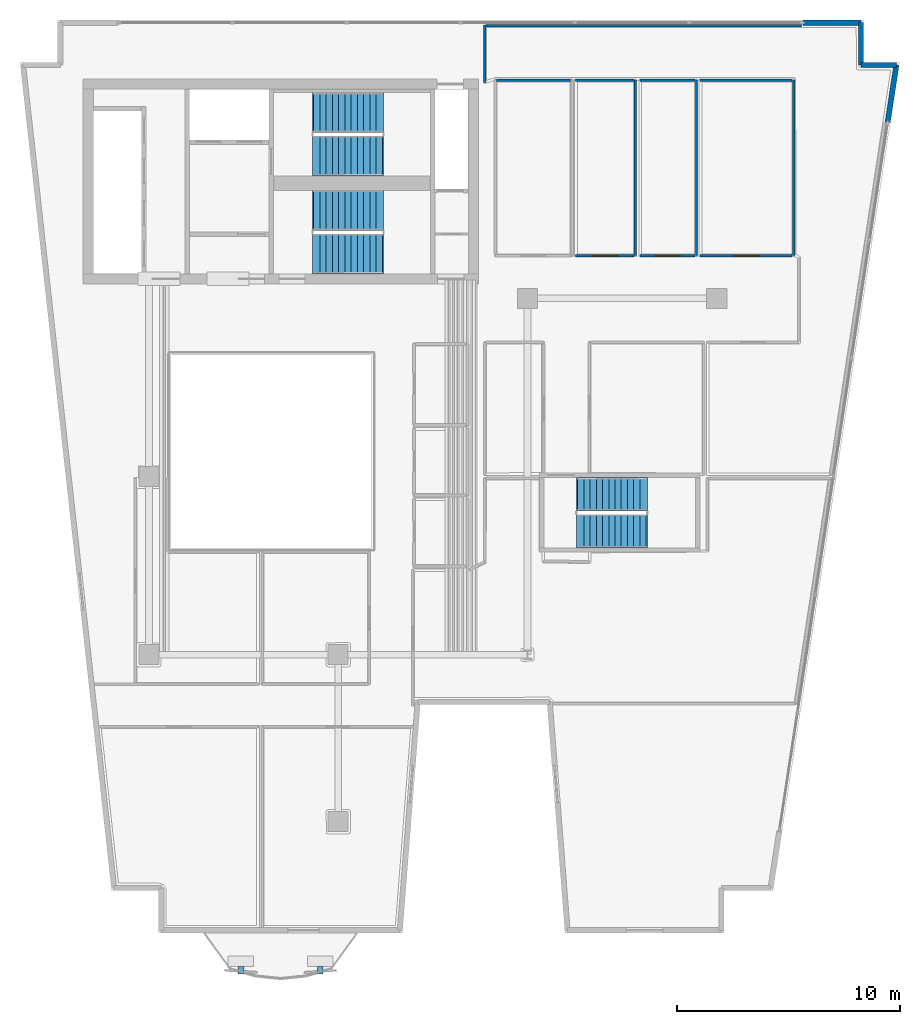
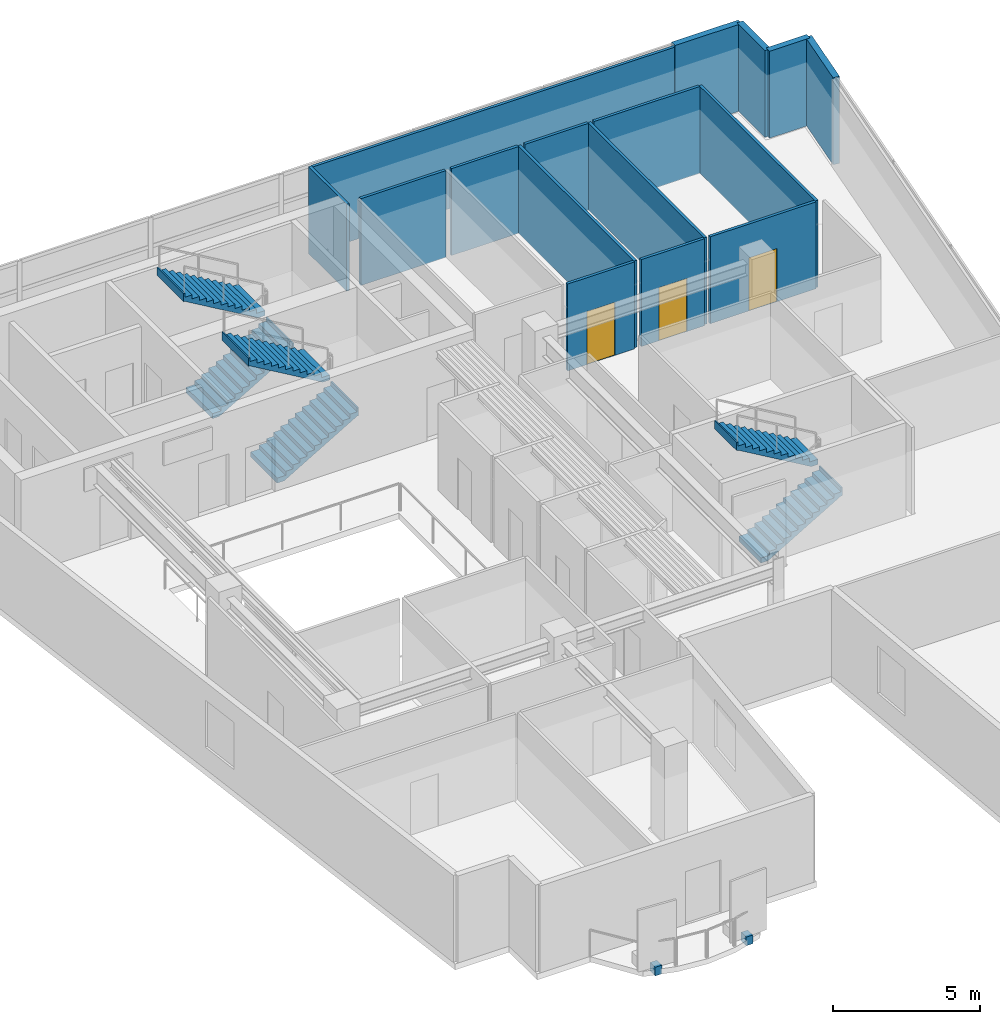
# One storey, part 6 of 8: 16 walls, 6 stair flights, 3 doors, 2 discrete accessories, 3 openings, 3 elements without a shape of their own.
"""IFC4 building model written with IfcOpenShell, lengths in metres."""

import ifcopenshell
import ifcopenshell.guid

model = None  # the IFC model being written
_history = None  # IfcOwnerHistory: only IFC2X3 demands one
_inside = {}  # id of a spatial element -> (the spatial element, [elements in it])
_under = {}  # id of a project, library or spatial element -> (it, [spatial elements below it])
_declared = {}  # id of a project -> (the project, [libraries it declares])
_typed = {}  # id of a type object -> (the type object, [elements of that type])
_made_of = {}  # id of a material, layer set ... -> (it, [elements and type objects made of it])


def new_model(schema):
    """Start an empty IFC model of exactly this schema.

    Asked for "IFC4X3", IfcOpenShell would pick the latest addendum, in which some entities
    have other attributes; the version numbers below select the first issue.
    IFC2X3 requires an IfcOwnerHistory on every rooted entity: one is made here for all.
    """
    global model, _history
    if schema == "IFC4X3":
        model = ifcopenshell.file(schema_version=(4, 3, 0, 0))
    else:
        model = ifcopenshell.file(schema=schema)
    _inside.clear()
    _under.clear()
    _declared.clear()
    _typed.clear()
    _made_of.clear()
    _history = None
    if model.schema == "IFC2X3":
        org = make("IfcOrganization", Name="unknown")
        user = make(
            "IfcPersonAndOrganization",
            ThePerson=make("IfcPerson", FamilyName="unknown"),
            TheOrganization=org,
        )
        app = make(
            "IfcApplication",
            ApplicationDeveloper=org,
            Version="unknown",
            ApplicationFullName="unknown",
            ApplicationIdentifier="unknown",
        )
        _history = make(
            "IfcOwnerHistory",
            OwningUser=user,
            OwningApplication=app,
            ChangeAction="ADDED",
            CreationDate=0,
        )
    return model


def make(cls, **values):
    """One entity of the class cls with the attributes given. An attribute that is None is left unset."""
    return model.create_entity(
        cls, **{name: value for name, value in values.items() if value is not None}
    )


def rooted(cls, **values):
    """An entity with a GlobalId (a new one), such as an element, a storey or a relation."""
    return make(cls, GlobalId=ifcopenshell.guid.new(), OwnerHistory=_history, **values)


def si_unit(unit_type, name, prefix=None):
    """IfcSIUnit, for example si_unit("LENGTHUNIT", "METRE", prefix="MILLI")."""
    return make("IfcSIUnit", UnitType=unit_type, Prefix=prefix, Name=name)


def assignment(units):
    """IfcUnitAssignment: the units of a project."""
    return None if units is None else make("IfcUnitAssignment", Units=units)


def point(xyz):
    """IfcCartesianPoint."""
    return None if xyz is None else make("IfcCartesianPoint", Coordinates=xyz)


def direction(xyz):
    """IfcDirection."""
    return None if xyz is None else make("IfcDirection", DirectionRatios=xyz)


def frame(location, z_axis=None, x_axis=None):
    """IfcAxis2Placement3D, a coordinate frame: its origin and axes. An axis left out is left unset."""
    return make(
        "IfcAxis2Placement3D",
        Location=point(location),
        Axis=direction(z_axis),
        RefDirection=direction(x_axis),
    )


def frame_2d(location, x_axis=None):
    """IfcAxis2Placement2D, a coordinate frame in the plane: its origin and x axis."""
    return make(
        "IfcAxis2Placement2D", Location=point(location), RefDirection=direction(x_axis)
    )


def origin():
    """The frame at (0, 0, 0) with its axes left unset."""
    return frame((0.0, 0.0, 0.0))


def origin_2d():
    """The frame at (0, 0) in the plane with its x axis left unset."""
    return frame_2d((0.0, 0.0))


def place(relative_to, where):
    """IfcLocalPlacement: puts the frame where relative to a parent placement (None: the world)."""
    return make(
        "IfcLocalPlacement", PlacementRelTo=relative_to, RelativePlacement=where
    )


def context(
    kind, dimensions, precision=None, world=None, true_north=None, identifier=None
):
    """IfcGeometricRepresentationContext, for example the 3D "Model" context."""
    return make(
        "IfcGeometricRepresentationContext",
        ContextIdentifier=identifier,
        ContextType=kind,
        CoordinateSpaceDimension=dimensions,
        Precision=precision,
        WorldCoordinateSystem=world,
        TrueNorth=true_north,
    )


def subcontext(parent, identifier, kind, view, scale=None):
    """IfcGeometricRepresentationSubContext, for example "Body" below "Model"."""
    return make(
        "IfcGeometricRepresentationSubContext",
        ContextIdentifier=identifier,
        ContextType=kind,
        ParentContext=parent,
        TargetScale=scale,
        TargetView=view,
    )


def project(units=None, contexts=None):
    """IfcProject with its units and contexts."""
    return rooted(
        "IfcProject",
        Name="project",
        RepresentationContexts=contexts,
        UnitsInContext=assignment(units),
    )


def spatial(cls, under=None, at=None, **own):
    """A site, building, storey or space (cls), placed at a placement, below another one or the project."""
    s = rooted(cls, ObjectPlacement=at, **own)
    if under is not None:
        _under.setdefault(under.id(), (under, []))[1].append(s)
    return s


def polyline(points):
    """IfcPolyline through the points."""
    return make("IfcPolyline", Points=[point(p) for p in points])


def profile(cls, at=None, kind="AREA", **sizes):
    """A parametric profile (cls). Its sizes go by their IFC names, for example OverallWidth=200.0."""
    return make(cls, ProfileType=kind, Position=at, **sizes)


def rectangle(**sizes):
    """IfcRectangleProfileDef."""
    return profile("IfcRectangleProfileDef", **sizes)


def outline(outer, holes=None, kind="AREA"):
    """IfcArbitraryClosedProfileDef: a profile drawn as a closed curve; with holes, ...WithVoids."""
    if holes is None:
        return make("IfcArbitraryClosedProfileDef", ProfileType=kind, OuterCurve=outer)
    return make(
        "IfcArbitraryProfileDefWithVoids",
        ProfileType=kind,
        OuterCurve=outer,
        InnerCurves=holes,
    )


def extrude(swept, where, along, depth):
    """IfcExtrudedAreaSolid: the profile swept, set in the frame where, extruded along a direction by depth."""
    return make(
        "IfcExtrudedAreaSolid",
        SweptArea=swept,
        Position=where,
        ExtrudedDirection=direction(along),
        Depth=depth,
    )


def shape(context_of_items, identifier, shape_type, items):
    """IfcShapeRepresentation: the items that make up one representation, for example the "Body"."""
    return make(
        "IfcShapeRepresentation",
        ContextOfItems=context_of_items,
        RepresentationIdentifier=identifier,
        RepresentationType=shape_type,
        Items=items,
    )


def material(Name=None, Category=None):
    """IfcMaterial."""
    return make("IfcMaterial", Name=Name, Category=Category)


def layer(
    of_material, thickness, ventilated=None, Name=None, Category=None, Priority=None
):
    """IfcMaterialLayer: one layer of a wall or slab, of a material (None: an air gap)."""
    return make(
        "IfcMaterialLayer",
        Material=of_material,
        LayerThickness=thickness,
        IsVentilated=ventilated,
        Name=Name,
        Category=Category,
        Priority=Priority,
    )


def layer_set(layers, Name=None):
    """IfcMaterialLayerSet."""
    return make("IfcMaterialLayerSet", MaterialLayers=layers, LayerSetName=Name)


def made_of(thing, what):
    """Note that an element or type object is made of a material, layer set ...; save() writes the relation."""
    if what is not None:
        _made_of.setdefault(what.id(), (what, []))[1].append(thing)
    return thing


def type_object(cls, material=None, **own):
    """A type object (cls), such as IfcWallType, which elements share."""
    return made_of(rooted(cls, **own), material)


def element(
    cls,
    number,
    at=None,
    inside=None,
    cuts=None,
    type_object=None,
    material=None,
    context=None,
    identifier="Body",
    shape_type=None,
    held_by="IfcProductDefinitionShape",
    body=None,
    shapes=None,
    **own,
):
    """One element of the class cls, such as IfcWall. Its Tag is "e" and its number.

    at: its placement. inside: the storey or other place that contains it. cuts: it is an
    opening in that element (IfcRelVoidsElement). A single representation is given by context,
    identifier, shape_type and body (its items); several are given by shapes. held_by: the class
    of the entity that holds the representations. save() writes the other relations.
    """
    e = rooted(cls, Tag="e%d" % number, ObjectPlacement=at, **own)
    if body is not None:
        shapes = [shape(context, identifier, shape_type, body)]
    if shapes is not None:
        e.Representation = make(held_by, Representations=shapes)
    if inside is not None:
        _inside.setdefault(inside.id(), (inside, []))[1].append(e)
    if cuts is not None:
        rooted(
            "IfcRelVoidsElement", RelatingBuildingElement=cuts, RelatedOpeningElement=e
        )
    if type_object is not None:
        _typed.setdefault(type_object.id(), (type_object, []))[1].append(e)
    return made_of(e, material)


def fill(opening, filler):
    """IfcRelFillsElement: the door or window that sits in an opening."""
    return rooted(
        "IfcRelFillsElement",
        RelatingOpeningElement=opening,
        RelatedBuildingElement=filler,
    )


def aggregate(whole, parts):
    """IfcRelAggregates: a whole, such as a stair, and the parts it consists of."""
    return rooted("IfcRelAggregates", RelatingObject=whole, RelatedObjects=parts)


def save(model, path):
    """Write the relations noted so far, then the file.

    IfcRelAggregates (storeys below a building ...), IfcRelContainedInSpatialStructure (elements
    in a storey), IfcRelDefinesByType, IfcRelAssociatesMaterial and IfcRelDeclares: one each for
    every whole, place, type object, material and project.
    """
    for whole, parts in _under.values():
        aggregate(whole, parts)
    for where, things in _inside.values():
        rooted(
            "IfcRelContainedInSpatialStructure",
            RelatedElements=things,
            RelatingStructure=where,
        )
    for kind, things in _typed.values():
        rooted("IfcRelDefinesByType", RelatedObjects=things, RelatingType=kind)
    for what, things in _made_of.values():
        rooted("IfcRelAssociatesMaterial", RelatedObjects=things, RelatingMaterial=what)
    for by, libraries in _declared.values():
        rooted("IfcRelDeclares", RelatingContext=by, RelatedDefinitions=libraries)
    model.write(path)


model = new_model("IFC4")

# Units and contexts
model_context = context("Model", 3, precision=1e-05, world=origin(), true_north=direction((0.0, 1.0)))
body_context = subcontext(model_context, "Body", "Model", "MODEL_VIEW")
ifc_project = project(units=[si_unit("LENGTHUNIT", "METRE"), si_unit("AREAUNIT", "SQUARE_METRE"), si_unit("VOLUMEUNIT", "CUBIC_METRE"), si_unit("PLANEANGLEUNIT", "RADIAN"), si_unit("MASSUNIT", "GRAM", prefix="KILO")], contexts=[model_context])

# Site, building, storey
site_placement = place(None, origin())
site = spatial("IfcSite", under=ifc_project, at=site_placement, CompositionType="ELEMENT")
building_placement = place(site_placement, origin())
building = spatial("IfcBuilding", under=site, at=building_placement, Name="Caeloran Harvest Quay", CompositionType="ELEMENT")
storey_placement = place(building_placement, frame((0.0, 0.0, 246.949951171875)))
storey = spatial("IfcBuildingStorey", under=building, at=storey_placement, Name="L59", CompositionType="ELEMENT", Elevation=246.949951171875)

# Walls
ifc_material_1 = material(Name="Precast concrete C50/60", Category="concrete")
ifc_layer_1 = layer(ifc_material_1, 0.239990234375, Name="Precast concrete C50/60")
ifc_layer_set_1 = layer_set([ifc_layer_1], Name="Precast concrete C50/60")
wall_type_1 = type_object("IfcWallType", Name="ENV-WALL-EW-240", PredefinedType="STANDARD", material=ifc_layer_set_1)
wall_1_placement = place(storey_placement, frame((37.8798828125, 43.3798828125, 0.0), z_axis=(0.0, 0.0, 1.0), x_axis=(1.0, 0.0, 0.0)))
element("IfcWall", 1, at=wall_1_placement, inside=storey, type_object=wall_type_1, Name="L59 Exterior Facade Corner Pier Wall 6B", PredefinedType="STANDARD", context=body_context, shape_type="SweptSolid", body=[
    extrude(rectangle(XDim=2.60009765625, YDim=0.239990234375, at=frame_2d((1.300048828125, 0.0))), origin(), (0.0, 0.0, 1.0), 3.60009765625),
])
wall_2_placement = place(storey_placement, frame((40.47998046875, 43.3798828125, 0.0), z_axis=(0.0, 0.0, 1.0), x_axis=(0.0, -1.0, 0.0)))
element("IfcWall", 2, at=wall_2_placement, inside=storey, type_object=wall_type_1, Name="L59 Exterior Precast Concrete Facade Wall 7", PredefinedType="STANDARD", context=body_context, shape_type="SweptSolid", body=[
    extrude(rectangle(XDim=1.89990234375, YDim=0.239990234375, at=frame_2d((0.949951171875, 0.0))), origin(), (0.0, 0.0, 1.0), 3.60009765625),
])
wall_3_placement = place(storey_placement, frame((40.47998046875, 41.47998046875, 0.0), z_axis=(0.0, 0.0, 1.0), x_axis=(1.0, 0.0, 0.0)))
element("IfcWall", 3, at=wall_3_placement, inside=storey, type_object=wall_type_1, Name="L59 Exterior Precast Concrete Facade Wall 8", PredefinedType="STANDARD", context=body_context, shape_type="SweptSolid", body=[
    extrude(rectangle(XDim=1.590087890625, YDim=0.239990234375, at=frame_2d((0.794921875, 0.0))), origin(), (0.0, 0.0, 1.0), 3.60009765625),
])
wall_4_placement = place(storey_placement, frame((42.070068359375, 41.47998046875, 0.0), z_axis=(0.0, 0.0, 1.0), x_axis=(-0.151090396132, -0.988519950328, 0.0)))
element("IfcWall", 4, at=wall_4_placement, inside=storey, type_object=wall_type_1, Name="L59 Exterior Facade Corner Pier Wall 9A", PredefinedType="STANDARD", context=body_context, shape_type="SweptSolid", body=[
    extrude(rectangle(XDim=2.599853515625, YDim=0.239990234375, at=frame_2d((1.2998046875, 0.0))), origin(), (0.0, 0.0, 1.0), 3.60009765625),
])
ifc_material_2 = material(Name="Single-Stud Acoustic Gypsum Office Partition", Category="gypsum")
ifc_layer_2 = layer(ifc_material_2, 0.112060546875, Name="Single-Stud Acoustic Gypsum Office Partition")
ifc_layer_set_2 = layer_set([ifc_layer_2], Name="Single-Stud Acoustic Gypsum Office Partition")
wall_type_2 = type_object("IfcWallType", Name="INT-WALL-PW-112", PredefinedType="PARTITIONING", material=ifc_layer_set_2)
wall_5_placement = place(storey_placement, frame((24.111083984375, 40.800048828125, 0.0), z_axis=(0.0, 0.0, 1.0), x_axis=(1.0, 0.0, 0.0)))
element("IfcWall", 5, at=wall_5_placement, inside=storey, type_object=wall_type_2, Name="L59 Bioinformatics Briefing Lounge Partition Wall", PredefinedType="PARTITIONING", context=body_context, shape_type="SweptSolid", body=[
    extrude(rectangle(XDim=3.327880859375, YDim=0.112060546875, at=frame_2d((1.6640625, 0.0))), origin(), (0.0, 0.0, 1.0), 3.60009765625),
])
wall_6_placement = place(storey_placement, frame((30.35009765625, 40.800048828125, 0.0), z_axis=(0.0, 0.0, 1.0), x_axis=(0.0, -1.0, 0.0)))
element("IfcWall", 6, at=wall_6_placement, inside=storey, type_object=wall_type_2, Name="L59 Seed Imaging Laboratory Partition Wall", PredefinedType="PARTITIONING", context=body_context, shape_type="SweptSolid", body=[
    extrude(rectangle(XDim=7.880126953125, YDim=0.112060546875, at=frame_2d((3.93994140625, 0.0))), origin(), (0.0, 0.0, 1.0), 3.60009765625),
])

# Wall, opening, door
wall_7_placement = place(storey_placement, frame((30.2890625, 32.919921875, 0.0), z_axis=(0.0, 0.0, 1.0), x_axis=(-1.0, 0.0, 0.0)))
wall_7 = element("IfcWall", 7, at=wall_7_placement, inside=storey, type_object=wall_type_2, Name="L59 Seed Imaging Laboratory Partition Wall", PredefinedType="PARTITIONING", context=body_context, shape_type="SweptSolid", body=[
    extrude(rectangle(XDim=2.629150390625, YDim=0.112060546875, at=frame_2d((1.314453125, 0.0))), origin(), (0.0, 0.0, 1.0), 3.60009765625),
])
opening_1_placement = place(wall_7_placement, frame((0.764404296875, 0.0, 0.0)))
opening_1 = element("IfcOpeningElement", 8, at=opening_1_placement, cuts=wall_7, Name="Opening ID-04", PredefinedType="OPENING", context=body_context, shape_type="SweptSolid", body=[
    extrude(rectangle(XDim=1.10009765625, YDim=2.199951171875, at=frame_2d((0.550048828125, 1.10009765625))), frame((0.0, 0.06591796875, 0.0), z_axis=(0.0, -1.0, 0.0), x_axis=(1.0, 0.0, 0.0)), (0.0, 0.0, 1.0), 0.132080078125),
])
ifc_material_3 = material(Name="Acoustic Walnut Veneer Executive Door", Category="wood")
door_type = type_object("IfcDoorType", Name="INTDOOR-ID-04", OperationType="NOTDEFINED", PredefinedType="DOOR", material=ifc_material_3)
door_1_placement = place(opening_1_placement, origin())
door_1 = element("IfcDoor", 9, at=door_1_placement, inside=storey, type_object=door_type, Name="L59 Seed Imaging Laboratory Access Door", OperationType="SINGLE_SWING_LEFT", OverallHeight=2.199951171875, OverallWidth=1.10009765625, PredefinedType="DOOR", context=body_context, shape_type="SweptSolid", body=[
    extrude(rectangle(XDim=1.10009765625, YDim=2.199951171875, at=frame_2d((0.550048828125, 1.10009765625))), frame((0.0, 0.02490234375, 0.0), z_axis=(0.0, -1.0, 0.0), x_axis=(1.0, 0.0, 0.0)), (0.0, 0.0, 1.0), 0.050048828125),
])
fill(opening_1, door_1)

# Walls
wall_8_placement = place(storey_placement, frame((27.659912109375, 40.800048828125, 0.0), z_axis=(0.0, 0.0, 1.0), x_axis=(1.0, 0.0, 0.0)))
element("IfcWall", 10, at=wall_8_placement, inside=storey, type_object=wall_type_2, Name="L59 Seed Imaging Laboratory Partition Wall", PredefinedType="PARTITIONING", context=body_context, shape_type="SweptSolid", body=[
    extrude(rectangle(XDim=2.629150390625, YDim=0.112060546875, at=frame_2d((1.314453125, 0.0))), origin(), (0.0, 0.0, 1.0), 3.60009765625),
])
wall_9_placement = place(storey_placement, frame((33.090087890625, 40.800048828125, 0.0), z_axis=(0.0, 0.0, 1.0), x_axis=(0.0, -1.0, 0.0)))
element("IfcWall", 11, at=wall_9_placement, inside=storey, type_object=wall_type_2, Name="L59 Genomics Seminar West Room Partition Wall", PredefinedType="PARTITIONING", context=body_context, shape_type="SweptSolid", body=[
    extrude(rectangle(XDim=7.880126953125, YDim=0.112060546875, at=frame_2d((3.93994140625, 0.0))), origin(), (0.0, 0.0, 1.0), 3.60009765625),
])

# Wall, opening, door
wall_10_placement = place(storey_placement, frame((33.029052734375, 32.919921875, 0.0), z_axis=(0.0, 0.0, 1.0), x_axis=(-1.0, 0.0, 0.0)))
wall_10 = element("IfcWall", 12, at=wall_10_placement, inside=storey, type_object=wall_type_2, Name="L59 Genomics Seminar West Room Partition Wall", PredefinedType="PARTITIONING", context=body_context, shape_type="SweptSolid", body=[
    extrude(rectangle(XDim=2.47900390625, YDim=0.112060546875, at=frame_2d((1.239501953125, 0.0))), origin(), (0.0, 0.0, 1.0), 3.60009765625),
])
opening_2_placement = place(wall_10_placement, frame((0.689453125, 0.0, 0.0)))
opening_2 = element("IfcOpeningElement", 13, at=opening_2_placement, cuts=wall_10, Name="Opening ID-04", PredefinedType="OPENING", context=body_context, shape_type="SweptSolid", body=[
    extrude(rectangle(XDim=1.10009765625, YDim=2.199951171875, at=frame_2d((0.550048828125, 1.10009765625))), frame((0.0, 0.06591796875, 0.0), z_axis=(0.0, -1.0, 0.0), x_axis=(1.0, 0.0, 0.0)), (0.0, 0.0, 1.0), 0.132080078125),
])
door_2_placement = place(opening_2_placement, origin())
door_2 = element("IfcDoor", 14, at=door_2_placement, inside=storey, type_object=door_type, Name="L59 Genomics Seminar West Room Access Door", OperationType="SINGLE_SWING_RIGHT", OverallHeight=2.199951171875, OverallWidth=1.10009765625, PredefinedType="DOOR", context=body_context, shape_type="SweptSolid", body=[
    extrude(rectangle(XDim=1.10009765625, YDim=2.199951171875, at=frame_2d((0.550048828125, 1.10009765625))), frame((0.0, 0.02490234375, 0.0), z_axis=(0.0, -1.0, 0.0), x_axis=(1.0, 0.0, 0.0)), (0.0, 0.0, 1.0), 0.050048828125),
])
fill(opening_2, door_2)

# Walls
wall_11_placement = place(storey_placement, frame((30.550048828125, 40.800048828125, 0.0), z_axis=(0.0, 0.0, 1.0), x_axis=(1.0, 0.0, 0.0)))
element("IfcWall", 15, at=wall_11_placement, inside=storey, type_object=wall_type_2, Name="L59 Genomics Seminar West Room Partition Wall", PredefinedType="PARTITIONING", context=body_context, shape_type="SweptSolid", body=[
    extrude(rectangle(XDim=2.47900390625, YDim=0.112060546875, at=frame_2d((1.239501953125, 0.0))), origin(), (0.0, 0.0, 1.0), 3.60009765625),
])
wall_12_placement = place(storey_placement, frame((37.449951171875, 40.800048828125, 0.0), z_axis=(0.0, 0.0, 1.0), x_axis=(0.0, -1.0, 0.0)))
element("IfcWall", 16, at=wall_12_placement, inside=storey, type_object=wall_type_2, Name="L59 Executive Archive East Studio Partition Wall", PredefinedType="PARTITIONING", context=body_context, shape_type="SweptSolid", body=[
    extrude(rectangle(XDim=7.880126953125, YDim=0.112060546875, at=frame_2d((3.93994140625, 0.0))), origin(), (0.0, 0.0, 1.0), 3.60009765625),
])

# Wall, opening, door
wall_13_placement = place(storey_placement, frame((37.388916015625, 32.919921875, 0.0), z_axis=(0.0, 0.0, 1.0), x_axis=(-1.0, 0.0, 0.0)))
wall_13 = element("IfcWall", 17, at=wall_13_placement, inside=storey, type_object=wall_type_2, Name="L59 Executive Archive East Studio Partition Wall", PredefinedType="PARTITIONING", context=body_context, shape_type="SweptSolid", body=[
    extrude(rectangle(XDim=4.138916015625, YDim=0.112060546875, at=frame_2d((2.0693359375, 0.0))), origin(), (0.0, 0.0, 1.0), 3.60009765625),
])
opening_3_placement = place(wall_13_placement, frame((1.51953125, 0.0, 0.0)))
opening_3 = element("IfcOpeningElement", 18, at=opening_3_placement, cuts=wall_13, Name="Opening ID-04", PredefinedType="OPENING", context=body_context, shape_type="SweptSolid", body=[
    extrude(rectangle(XDim=1.10009765625, YDim=2.199951171875, at=frame_2d((0.550048828125, 1.10009765625))), frame((0.0, 0.06591796875, 0.0), z_axis=(0.0, -1.0, 0.0), x_axis=(1.0, 0.0, 0.0)), (0.0, 0.0, 1.0), 0.132080078125),
])
door_3_placement = place(opening_3_placement, origin())
door_3 = element("IfcDoor", 19, at=door_3_placement, inside=storey, type_object=door_type, Name="L59 Executive Archive East Studio Access Door", OperationType="SINGLE_SWING_LEFT", OverallHeight=2.199951171875, OverallWidth=1.10009765625, PredefinedType="DOOR", context=body_context, shape_type="SweptSolid", body=[
    extrude(rectangle(XDim=1.10009765625, YDim=2.199951171875, at=frame_2d((0.550048828125, 1.10009765625))), frame((0.0, 0.02490234375, 0.0), z_axis=(0.0, -1.0, 0.0), x_axis=(1.0, 0.0, 0.0)), (0.0, 0.0, 1.0), 0.050048828125),
])
fill(opening_3, door_3)

# Walls
wall_14_placement = place(storey_placement, frame((33.25, 40.800048828125, 0.0), z_axis=(0.0, 0.0, 1.0), x_axis=(1.0, 0.0, 0.0)))
element("IfcWall", 20, at=wall_14_placement, inside=storey, type_object=wall_type_2, Name="L59 Executive Archive East Studio Partition Wall", PredefinedType="PARTITIONING", context=body_context, shape_type="SweptSolid", body=[
    extrude(rectangle(XDim=4.138916015625, YDim=0.112060546875, at=frame_2d((2.0693359375, 0.0))), origin(), (0.0, 0.0, 1.0), 3.60009765625),
])
wall_15_placement = place(storey_placement, frame((23.580078125, 40.693115234375, 0.0), z_axis=(0.0, 0.0, 1.0), x_axis=(0.0, 1.0, 0.0)))
element("IfcWall", 21, at=wall_15_placement, inside=storey, type_object=wall_type_2, Name="GIS Spatial Modelling Lab 8 Partition Wall", PredefinedType="PARTITIONING", context=body_context, shape_type="SweptSolid", body=[
    extrude(rectangle(XDim=2.581787109375, YDim=0.112060546875, at=frame_2d((1.291015625, 0.0))), origin(), (0.0, 0.0, 1.0), 3.60009765625),
])
wall_16_placement = place(storey_placement, frame((23.64111328125, 43.239990234375, 0.0), z_axis=(0.0, 0.0, 1.0), x_axis=(1.0, 0.0, 0.0)))
element("IfcWall", 22, at=wall_16_placement, inside=storey, type_object=wall_type_2, Name="GIS Spatial Modelling Lab 8 Partition Wall", PredefinedType="PARTITIONING", context=body_context, shape_type="SweptSolid", body=[
    extrude(rectangle(XDim=14.173828125, YDim=0.112060546875, at=frame_2d((7.0869140625, 0.0))), origin(), (0.0, 0.0, 1.0), 3.60009765625),
])

# Stair, stair flights
ifc_material_4 = material(Name="Concrete C50/60", Category="concrete")
stair_type_1 = type_object("IfcStairType", Name="STAIR-STC-180", PredefinedType="HALF_TURN_STAIR", material=ifc_material_4)
stair_1_placement = place(storey_placement, origin())
stair_1 = element("IfcStair", 23, at=stair_1_placement, inside=storey, type_object=stair_type_1, Name="L59 Core Pressurized Exit Stair ST-C1", PredefinedType="HALF_TURN_STAIR")
stair_flight_type_1 = type_object("IfcStairFlightType", Name="FLIGHT-STC-180", PredefinedType="STRAIGHT", material=ifc_material_4)
stair_flight_1_placement = place(storey_placement, frame((15.89990234375, 37.39990234375, 0.0), z_axis=(0.0, 0.0, 1.0), x_axis=(1.0, 0.0, 0.0)))
stair_flight_1 = element("IfcStairFlight", 24, at=stair_flight_1_placement, type_object=stair_flight_type_1, Name="ST-C1 flight 1", NumberOfRisers=12, NumberOfTreads=11, PredefinedType="STRAIGHT", RiserHeight=0.164583333, TreadLength=0.28, context=body_context, shape_type="SweptSolid", body=[
    extrude(outline(polyline([(-0.054931640625, -0.044921875), (-0.054931640625, -0.031982421875), (-0.054931640625, -0.018798828125), (-0.054931640625, -0.005615234375), (-0.054931640625, 0.00732421875), (-0.054931640625, 0.0205078125), (-0.054931640625, 0.03369140625), (-0.054931640625, 0.046630859375), (-0.054931640625, 0.059814453125), (-0.054931640625, 0.072998046875), (-0.054931640625, 0.0859375), (-0.054931640625, 0.09912109375), (-0.054931640625, 0.1123046875), (-0.054931640625, 0.125244140625), (-0.054931640625, 0.138427734375), (-0.054931640625, 0.1513671875), (-0.054931640625, 0.16455078125), (0.280029296875, 0.16455078125), (0.280029296875, 0.3291015625), (0.56005859375, 0.3291015625), (0.56005859375, 0.49365234375), (0.840087890625, 0.49365234375), (0.840087890625, 0.658447265625), (1.1201171875, 0.658447265625), (1.1201171875, 0.822998046875), (1.39990234375, 0.822998046875), (1.39990234375, 0.987548828125), (1.679931640625, 0.987548828125), (1.679931640625, 1.152099609375), (1.9599609375, 1.152099609375), (1.9599609375, 1.316650390625), (2.239990234375, 1.316650390625), (2.239990234375, 1.481201171875), (2.52001953125, 1.481201171875), (2.52001953125, 1.645751953125), (2.800048828125, 1.645751953125), (2.800048828125, 1.810302734375), (3.080078125, 1.810302734375), (3.080078125, 1.97509765625), (3.135009765625, 1.97509765625), (3.135009765625, 1.953857421875), (3.135009765625, 1.9326171875), (3.135009765625, 1.91162109375), (3.135009765625, 1.890380859375), (3.135009765625, 1.869140625), (3.135009765625, 1.84814453125), (3.135009765625, 1.826904296875), (3.135009765625, 1.8056640625), (3.135009765625, 1.78466796875), (3.135009765625, 1.763427734375), (3.135009765625, 1.7421875), (3.135009765625, 1.72119140625), (3.135009765625, 1.699951171875), (3.135009765625, 1.678955078125), (3.135009765625, 1.65771484375), (3.135009765625, 1.636474609375), (3.080078125, 1.636474609375), (0.21923828125, -0.044921875), (-0.054931640625, -0.044921875)])), frame((0.0, 0.89990234375, 0.0), z_axis=(0.0, -1.0, 0.0), x_axis=(1.0, 0.0, 0.0)), (0.0, 0.0, 1.0), 1.800048828125),
])
stair_flight_2_placement = place(storey_placement, frame((18.97998046875, 39.35009765625, 1.97509765625), z_axis=(0.0, 0.0, 1.0), x_axis=(-1.0, 0.0, 0.0)))
stair_flight_2 = element("IfcStairFlight", 25, at=stair_flight_2_placement, type_object=stair_flight_type_1, Name="ST-C1 flight 2", NumberOfRisers=12, NumberOfTreads=11, PredefinedType="STRAIGHT", RiserHeight=0.164583333, TreadLength=0.28, context=body_context, shape_type="SweptSolid", body=[
    extrude(outline(polyline([(-0.054931640625, -0.044921875), (-0.054931640625, -0.031982421875), (-0.054931640625, -0.018798828125), (-0.054931640625, -0.005615234375), (-0.054931640625, 0.00732421875), (-0.054931640625, 0.0205078125), (-0.054931640625, 0.03369140625), (-0.054931640625, 0.046630859375), (-0.054931640625, 0.059814453125), (-0.054931640625, 0.072998046875), (-0.054931640625, 0.0859375), (-0.054931640625, 0.09912109375), (-0.054931640625, 0.1123046875), (-0.054931640625, 0.125244140625), (-0.054931640625, 0.138427734375), (-0.054931640625, 0.1513671875), (-0.054931640625, 0.16455078125), (0.280029296875, 0.16455078125), (0.280029296875, 0.3291015625), (0.56005859375, 0.3291015625), (0.56005859375, 0.49365234375), (0.840087890625, 0.49365234375), (0.840087890625, 0.658447265625), (1.1201171875, 0.658447265625), (1.1201171875, 0.822998046875), (1.39990234375, 0.822998046875), (1.39990234375, 0.987548828125), (1.679931640625, 0.987548828125), (1.679931640625, 1.152099609375), (1.9599609375, 1.152099609375), (1.9599609375, 1.316650390625), (2.239990234375, 1.316650390625), (2.239990234375, 1.481201171875), (2.52001953125, 1.481201171875), (2.52001953125, 1.645751953125), (2.800048828125, 1.645751953125), (2.800048828125, 1.810302734375), (3.080078125, 1.810302734375), (3.080078125, 1.97509765625), (3.135009765625, 1.97509765625), (3.135009765625, 1.953857421875), (3.135009765625, 1.9326171875), (3.135009765625, 1.91162109375), (3.135009765625, 1.890380859375), (3.135009765625, 1.869140625), (3.135009765625, 1.84814453125), (3.135009765625, 1.826904296875), (3.135009765625, 1.8056640625), (3.135009765625, 1.78466796875), (3.135009765625, 1.763427734375), (3.135009765625, 1.7421875), (3.135009765625, 1.72119140625), (3.135009765625, 1.699951171875), (3.135009765625, 1.678955078125), (3.135009765625, 1.65771484375), (3.135009765625, 1.636474609375), (3.080078125, 1.636474609375), (0.21923828125, -0.044921875), (-0.054931640625, -0.044921875)])), frame((0.0, 0.89990234375, 0.0), z_axis=(0.0, -1.0, 0.0), x_axis=(1.0, 0.0, 0.0)), (0.0, 0.0, 1.0), 1.800048828125),
])
aggregate(stair_1, [stair_flight_1, stair_flight_2])

stair_2_placement = place(storey_placement, origin())
stair_2 = element("IfcStair", 26, at=stair_2_placement, inside=storey, type_object=stair_type_1, Name="L59 Core Pressurized Exit Stair ST-C2", PredefinedType="HALF_TURN_STAIR")
stair_flight_3_placement = place(storey_placement, frame((15.89990234375, 33.0, 0.0), z_axis=(0.0, 0.0, 1.0), x_axis=(1.0, 0.0, 0.0)))
stair_flight_3 = element("IfcStairFlight", 27, at=stair_flight_3_placement, type_object=stair_flight_type_1, Name="ST-C2 flight 1", NumberOfRisers=12, NumberOfTreads=11, PredefinedType="STRAIGHT", RiserHeight=0.164583333, TreadLength=0.28, context=body_context, shape_type="SweptSolid", body=[
    extrude(outline(polyline([(-0.054931640625, -0.044921875), (-0.054931640625, -0.031982421875), (-0.054931640625, -0.018798828125), (-0.054931640625, -0.005615234375), (-0.054931640625, 0.00732421875), (-0.054931640625, 0.0205078125), (-0.054931640625, 0.03369140625), (-0.054931640625, 0.046630859375), (-0.054931640625, 0.059814453125), (-0.054931640625, 0.072998046875), (-0.054931640625, 0.0859375), (-0.054931640625, 0.09912109375), (-0.054931640625, 0.1123046875), (-0.054931640625, 0.125244140625), (-0.054931640625, 0.138427734375), (-0.054931640625, 0.1513671875), (-0.054931640625, 0.16455078125), (0.280029296875, 0.16455078125), (0.280029296875, 0.3291015625), (0.56005859375, 0.3291015625), (0.56005859375, 0.49365234375), (0.840087890625, 0.49365234375), (0.840087890625, 0.658447265625), (1.1201171875, 0.658447265625), (1.1201171875, 0.822998046875), (1.39990234375, 0.822998046875), (1.39990234375, 0.987548828125), (1.679931640625, 0.987548828125), (1.679931640625, 1.152099609375), (1.9599609375, 1.152099609375), (1.9599609375, 1.316650390625), (2.239990234375, 1.316650390625), (2.239990234375, 1.481201171875), (2.52001953125, 1.481201171875), (2.52001953125, 1.645751953125), (2.800048828125, 1.645751953125), (2.800048828125, 1.810302734375), (3.080078125, 1.810302734375), (3.080078125, 1.97509765625), (3.135009765625, 1.97509765625), (3.135009765625, 1.953857421875), (3.135009765625, 1.9326171875), (3.135009765625, 1.91162109375), (3.135009765625, 1.890380859375), (3.135009765625, 1.869140625), (3.135009765625, 1.84814453125), (3.135009765625, 1.826904296875), (3.135009765625, 1.8056640625), (3.135009765625, 1.78466796875), (3.135009765625, 1.763427734375), (3.135009765625, 1.7421875), (3.135009765625, 1.72119140625), (3.135009765625, 1.699951171875), (3.135009765625, 1.678955078125), (3.135009765625, 1.65771484375), (3.135009765625, 1.636474609375), (3.080078125, 1.636474609375), (0.21923828125, -0.044921875), (-0.054931640625, -0.044921875)])), frame((0.0, 0.89990234375, 0.0), z_axis=(0.0, -1.0, 0.0), x_axis=(1.0, 0.0, 0.0)), (0.0, 0.0, 1.0), 1.800048828125),
])
stair_flight_4_placement = place(storey_placement, frame((18.97998046875, 34.949951171875, 1.97509765625), z_axis=(0.0, 0.0, 1.0), x_axis=(-1.0, 0.0, 0.0)))
stair_flight_4 = element("IfcStairFlight", 28, at=stair_flight_4_placement, type_object=stair_flight_type_1, Name="ST-C2 flight 2", NumberOfRisers=12, NumberOfTreads=11, PredefinedType="STRAIGHT", RiserHeight=0.164583333, TreadLength=0.28, context=body_context, shape_type="SweptSolid", body=[
    extrude(outline(polyline([(-0.054931640625, -0.044921875), (-0.054931640625, -0.031982421875), (-0.054931640625, -0.018798828125), (-0.054931640625, -0.005615234375), (-0.054931640625, 0.00732421875), (-0.054931640625, 0.0205078125), (-0.054931640625, 0.03369140625), (-0.054931640625, 0.046630859375), (-0.054931640625, 0.059814453125), (-0.054931640625, 0.072998046875), (-0.054931640625, 0.0859375), (-0.054931640625, 0.09912109375), (-0.054931640625, 0.1123046875), (-0.054931640625, 0.125244140625), (-0.054931640625, 0.138427734375), (-0.054931640625, 0.1513671875), (-0.054931640625, 0.16455078125), (0.280029296875, 0.16455078125), (0.280029296875, 0.3291015625), (0.56005859375, 0.3291015625), (0.56005859375, 0.49365234375), (0.840087890625, 0.49365234375), (0.840087890625, 0.658447265625), (1.1201171875, 0.658447265625), (1.1201171875, 0.822998046875), (1.39990234375, 0.822998046875), (1.39990234375, 0.987548828125), (1.679931640625, 0.987548828125), (1.679931640625, 1.152099609375), (1.9599609375, 1.152099609375), (1.9599609375, 1.316650390625), (2.239990234375, 1.316650390625), (2.239990234375, 1.481201171875), (2.52001953125, 1.481201171875), (2.52001953125, 1.645751953125), (2.800048828125, 1.645751953125), (2.800048828125, 1.810302734375), (3.080078125, 1.810302734375), (3.080078125, 1.97509765625), (3.135009765625, 1.97509765625), (3.135009765625, 1.953857421875), (3.135009765625, 1.9326171875), (3.135009765625, 1.91162109375), (3.135009765625, 1.890380859375), (3.135009765625, 1.869140625), (3.135009765625, 1.84814453125), (3.135009765625, 1.826904296875), (3.135009765625, 1.8056640625), (3.135009765625, 1.78466796875), (3.135009765625, 1.763427734375), (3.135009765625, 1.7421875), (3.135009765625, 1.72119140625), (3.135009765625, 1.699951171875), (3.135009765625, 1.678955078125), (3.135009765625, 1.65771484375), (3.135009765625, 1.636474609375), (3.080078125, 1.636474609375), (0.21923828125, -0.044921875), (-0.054931640625, -0.044921875)])), frame((0.0, 0.89990234375, 0.0), z_axis=(0.0, -1.0, 0.0), x_axis=(1.0, 0.0, 0.0)), (0.0, 0.0, 1.0), 1.800048828125),
])
aggregate(stair_2, [stair_flight_3, stair_flight_4])

stair_type_2 = type_object("IfcStairType", Name="STAIR-STW-150", PredefinedType="HALF_TURN_STAIR", material=ifc_material_4)
stair_3_placement = place(storey_placement, origin())
stair_3 = element("IfcStair", 29, at=stair_3_placement, inside=storey, type_object=stair_type_2, Name="L59 East Wing Protected Exit Stair ST-W1", PredefinedType="HALF_TURN_STAIR")
stair_flight_type_2 = type_object("IfcStairFlightType", Name="FLIGHT-STW-150", PredefinedType="STRAIGHT", material=ifc_material_4)
stair_flight_5_placement = place(storey_placement, frame((27.75, 20.550048828125, 0.0), z_axis=(0.0, 0.0, 1.0), x_axis=(1.0, 0.0, 0.0)))
stair_flight_5 = element("IfcStairFlight", 30, at=stair_flight_5_placement, type_object=stair_flight_type_2, Name="ST-W1 flight 1", NumberOfRisers=12, NumberOfTreads=11, PredefinedType="STRAIGHT", RiserHeight=0.164583333, TreadLength=0.28, context=body_context, shape_type="SweptSolid", body=[
    extrude(outline(polyline([(-0.054931640625, -0.044921875), (-0.054931640625, -0.031982421875), (-0.054931640625, -0.018798828125), (-0.054931640625, -0.005615234375), (-0.054931640625, 0.00732421875), (-0.054931640625, 0.0205078125), (-0.054931640625, 0.03369140625), (-0.054931640625, 0.046630859375), (-0.054931640625, 0.059814453125), (-0.054931640625, 0.072998046875), (-0.054931640625, 0.0859375), (-0.054931640625, 0.09912109375), (-0.054931640625, 0.1123046875), (-0.054931640625, 0.125244140625), (-0.054931640625, 0.138427734375), (-0.054931640625, 0.1513671875), (-0.054931640625, 0.16455078125), (0.280029296875, 0.16455078125), (0.280029296875, 0.3291015625), (0.56005859375, 0.3291015625), (0.56005859375, 0.49365234375), (0.840087890625, 0.49365234375), (0.840087890625, 0.658447265625), (1.1201171875, 0.658447265625), (1.1201171875, 0.822998046875), (1.39990234375, 0.822998046875), (1.39990234375, 0.987548828125), (1.679931640625, 0.987548828125), (1.679931640625, 1.152099609375), (1.9599609375, 1.152099609375), (1.9599609375, 1.316650390625), (2.239990234375, 1.316650390625), (2.239990234375, 1.481201171875), (2.52001953125, 1.481201171875), (2.52001953125, 1.645751953125), (2.800048828125, 1.645751953125), (2.800048828125, 1.810302734375), (3.080078125, 1.810302734375), (3.080078125, 1.97509765625), (3.135009765625, 1.97509765625), (3.135009765625, 1.953857421875), (3.135009765625, 1.9326171875), (3.135009765625, 1.91162109375), (3.135009765625, 1.890380859375), (3.135009765625, 1.869140625), (3.135009765625, 1.84814453125), (3.135009765625, 1.826904296875), (3.135009765625, 1.8056640625), (3.135009765625, 1.78466796875), (3.135009765625, 1.763427734375), (3.135009765625, 1.7421875), (3.135009765625, 1.72119140625), (3.135009765625, 1.699951171875), (3.135009765625, 1.678955078125), (3.135009765625, 1.65771484375), (3.135009765625, 1.636474609375), (3.080078125, 1.636474609375), (0.21923828125, -0.044921875), (-0.054931640625, -0.044921875)])), frame((0.0, 0.75, 0.0), z_axis=(0.0, -1.0, 0.0), x_axis=(1.0, 0.0, 0.0)), (0.0, 0.0, 1.0), 1.5),
])
stair_flight_6_placement = place(storey_placement, frame((30.830078125, 22.199951171875, 1.97509765625), z_axis=(0.0, 0.0, 1.0), x_axis=(-1.0, 0.0, 0.0)))
stair_flight_6 = element("IfcStairFlight", 31, at=stair_flight_6_placement, type_object=stair_flight_type_2, Name="ST-W1 flight 2", NumberOfRisers=12, NumberOfTreads=11, PredefinedType="STRAIGHT", RiserHeight=0.164583333, TreadLength=0.28, context=body_context, shape_type="SweptSolid", body=[
    extrude(outline(polyline([(-0.054931640625, -0.044921875), (-0.054931640625, -0.031982421875), (-0.054931640625, -0.018798828125), (-0.054931640625, -0.005615234375), (-0.054931640625, 0.00732421875), (-0.054931640625, 0.0205078125), (-0.054931640625, 0.03369140625), (-0.054931640625, 0.046630859375), (-0.054931640625, 0.059814453125), (-0.054931640625, 0.072998046875), (-0.054931640625, 0.0859375), (-0.054931640625, 0.09912109375), (-0.054931640625, 0.1123046875), (-0.054931640625, 0.125244140625), (-0.054931640625, 0.138427734375), (-0.054931640625, 0.1513671875), (-0.054931640625, 0.16455078125), (0.280029296875, 0.16455078125), (0.280029296875, 0.3291015625), (0.56005859375, 0.3291015625), (0.56005859375, 0.49365234375), (0.840087890625, 0.49365234375), (0.840087890625, 0.658447265625), (1.1201171875, 0.658447265625), (1.1201171875, 0.822998046875), (1.39990234375, 0.822998046875), (1.39990234375, 0.987548828125), (1.679931640625, 0.987548828125), (1.679931640625, 1.152099609375), (1.9599609375, 1.152099609375), (1.9599609375, 1.316650390625), (2.239990234375, 1.316650390625), (2.239990234375, 1.481201171875), (2.52001953125, 1.481201171875), (2.52001953125, 1.645751953125), (2.800048828125, 1.645751953125), (2.800048828125, 1.810302734375), (3.080078125, 1.810302734375), (3.080078125, 1.97509765625), (3.135009765625, 1.97509765625), (3.135009765625, 1.953857421875), (3.135009765625, 1.9326171875), (3.135009765625, 1.91162109375), (3.135009765625, 1.890380859375), (3.135009765625, 1.869140625), (3.135009765625, 1.84814453125), (3.135009765625, 1.826904296875), (3.135009765625, 1.8056640625), (3.135009765625, 1.78466796875), (3.135009765625, 1.763427734375), (3.135009765625, 1.7421875), (3.135009765625, 1.72119140625), (3.135009765625, 1.699951171875), (3.135009765625, 1.678955078125), (3.135009765625, 1.65771484375), (3.135009765625, 1.636474609375), (3.080078125, 1.636474609375), (0.21923828125, -0.044921875), (-0.054931640625, -0.044921875)])), frame((0.0, 0.75, 0.0), z_axis=(0.0, -1.0, 0.0), x_axis=(1.0, 0.0, 0.0)), (0.0, 0.0, 1.0), 1.5),
])
aggregate(stair_3, [stair_flight_5, stair_flight_6])

# Discrete accessories
ifc_material_5 = material(Name="Stainless Steel Grade 316L", Category="steel")
discrete_accessory_type = type_object("IfcDiscreteAccessoryType", Name="BRACKET-SCREEN-SS", PredefinedType="BRACKET", material=ifc_material_5)
for number, where, z_axis, x_axis, name in (
    (32, (16.19775390625, 0.835205078125, -0.22021484375), (0.0, 0.0, 1.0), (1.0, 0.0, 0.0), "L59 Balcony Screen Support Bracket 1"),
    (33, (12.631103515625, 0.835205078125, -0.22021484375), (0.0, 0.0, 1.0), (1.0, 0.0, 0.0), "L59 Balcony Screen Support Bracket 2"),
):
    element("IfcDiscreteAccessory", number, at=place(storey_placement, frame(where, z_axis=z_axis, x_axis=x_axis)), inside=storey, type_object=discrete_accessory_type, Name=name, PredefinedType="BRACKET", context=body_context, shape_type="SweptSolid", body=[
        extrude(rectangle(XDim=0.260009765625, YDim=0.340087890625, at=origin_2d()), origin(), (0.0, 0.0, 1.0), 0.360107421875),
    ])

save(model, "model.ifc")
